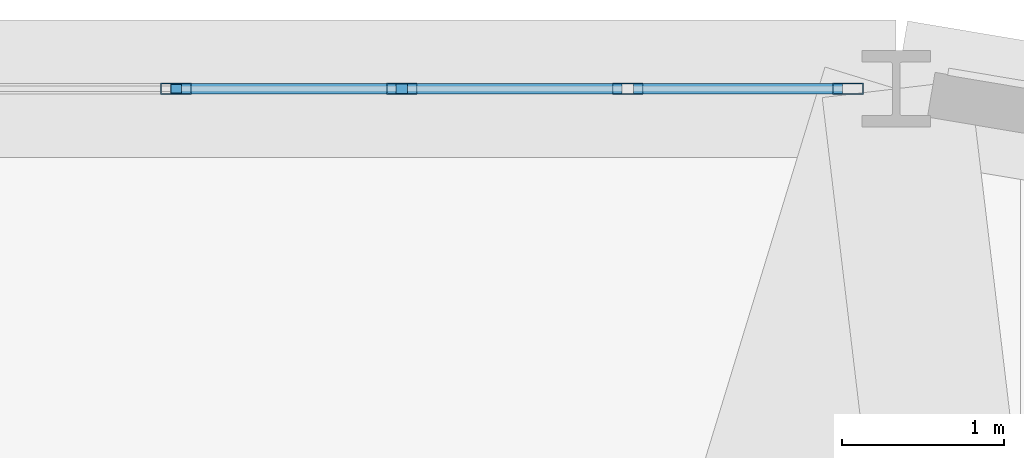
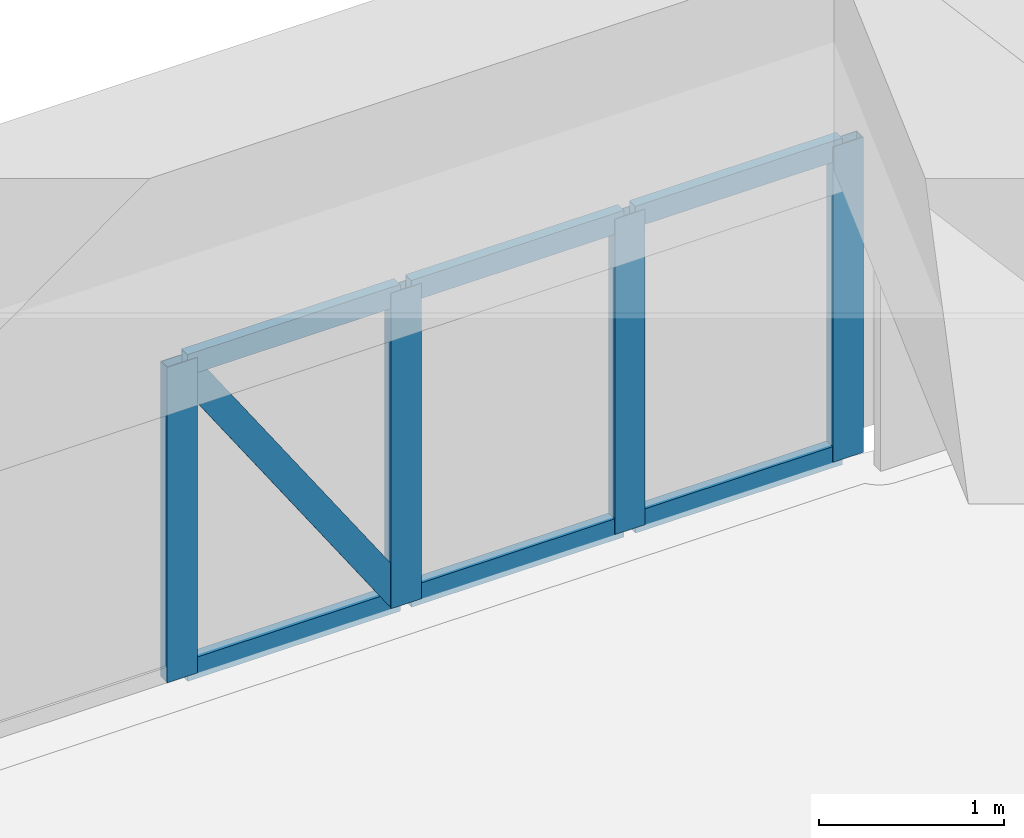
# One storey, part 13 of 20: 11 members, 1 element without a shape of its own.
"""IFC4 building model written with IfcOpenShell, lengths in metres."""

from ifc_helpers import new_model, si_unit, derived_unit, direction, frame, origin, origin_2d, place, context, subcontext, project, spatial, hollow_rectangle, extrude, source, transform, mapped, material, layer, layer_set, material_profile, profile_set, type_object, element, aggregate, save


model = new_model("IFC4")

# Units and contexts
model_context = context("Model", 3, precision=1e-05, world=origin(), true_north=direction((0.0, 1.0)))
body_context = subcontext(model_context, "Body", "Model", "MODEL_VIEW")
ifc_project = project(units=[si_unit("LENGTHUNIT", "METRE"), si_unit("AREAUNIT", "SQUARE_METRE"), si_unit("VOLUMEUNIT", "CUBIC_METRE"), si_unit("PLANEANGLEUNIT", "RADIAN"), si_unit("MASSUNIT", "GRAM", prefix="KILO"), derived_unit("THERMALTRANSMITTANCEUNIT", [(si_unit("POWERUNIT", "WATT"), 1), (si_unit("LENGTHUNIT", "METRE"), -2), (si_unit("THERMODYNAMICTEMPERATUREUNIT", "KELVIN"), -1)])], contexts=[model_context])

# Site, building, storey
site_placement = place(None, origin())
site = spatial("IfcSite", under=ifc_project, at=site_placement, CompositionType="ELEMENT")
building_placement = place(site_placement, origin())
building = spatial("IfcBuilding", under=site, at=building_placement, Name="Korsvarv Bourse and Concert Hall", CompositionType="ELEMENT")
storey_placement = place(building_placement, frame((0.0, 0.0, 43.5)))
storey = spatial("IfcBuildingStorey", under=building, at=storey_placement, Name="L10", CompositionType="ELEMENT", Elevation=43.5)

# Curtain wall, members
ifc_material_1 = material(Name="Anodised aluminium and triple low-E glazing", Category="glass")
ifc_layer = layer(ifc_material_1, 0.219970703125)
ifc_layer_set = layer_set([ifc_layer], Name="Anodised aluminium and triple low-E glazing")
curtain_wall_type = type_object("IfcCurtainWallType", Name="CW-SYS-1", PredefinedType="NOTDEFINED", material=ifc_layer_set)
curtain_wall_placement = place(storey_placement, origin())
curtain_wall = element("IfcCurtainWall", 1, at=curtain_wall_placement, inside=storey, type_object=curtain_wall_type, Name="L10 CW1 curtain wall CW-L10-F03", PredefinedType="NOTDEFINED")
ifc_material_2 = material(Name="Extruded aluminium EN AW-6063 T66", Category="aluminium")
ifc_material_profile_1 = material_profile(ifc_material_2, hollow_rectangle(XDim=0.070068359375, YDim=0.18994140625, WallThickness=0.0048828125, at=origin_2d()), Name="ALU-M 70x190")
ifc_profile_set_1 = profile_set([ifc_material_profile_1], Name="Extruded aluminium EN AW-6063 T66")
member_type_1 = type_object("IfcMemberType", Name="CWM-190", PredefinedType="MULLION", material=ifc_profile_set_1)
shared_shape_1 = source(origin(), body_context, "Body", "SweptSolid", [
    extrude(hollow_rectangle(XDim=0.070068359375, YDim=0.18994140625, WallThickness=0.0048828125, at=origin_2d()), origin(), (0.0, 0.0, 1.0), 2.080078125),
])
member_1_placement = place(storey_placement, frame((43.64404296875, 57.401611328125, 0.0), z_axis=(0.0, 0.0, 1.0), x_axis=(0.0, -1.0, 0.0)))
member_1 = element("IfcMember", 2, at=member_1_placement, type_object=member_type_1, Name="CW1 mullion 1", PredefinedType="MULLION", context=body_context, shape_type="MappedRepresentation", body=[
    mapped(shared_shape_1, transform((0.0, 0.0, 0.0), scale=1.0)),
])
member_2_placement = place(storey_placement, frame((42.282958984375, 57.401611328125, 0.0), z_axis=(0.0, 0.0, 1.0), x_axis=(0.0, -1.0, 0.0)))
member_2 = element("IfcMember", 3, at=member_2_placement, type_object=member_type_1, Name="CW1 mullion 2", PredefinedType="MULLION", context=body_context, shape_type="MappedRepresentation", body=[
    mapped(shared_shape_1, transform((0.0, 0.0, 0.0), scale=1.0)),
])
member_3_placement = place(storey_placement, frame((40.88671875, 57.401611328125, 0.0), z_axis=(0.0, 0.0, 1.0), x_axis=(0.0, -1.0, 0.0)))
member_3 = element("IfcMember", 4, at=member_3_placement, type_object=member_type_1, Name="CW1 mullion 3", PredefinedType="MULLION", context=body_context, shape_type="MappedRepresentation", body=[
    mapped(shared_shape_1, transform((0.0, 0.0, 0.0), scale=1.0)),
])
member_4_placement = place(storey_placement, frame((39.490478515625, 57.401611328125, 0.0), z_axis=(0.0, 0.0, 1.0), x_axis=(0.0, -1.0, 0.0)))
member_4 = element("IfcMember", 5, at=member_4_placement, type_object=member_type_1, Name="CW1 mullion 4", PredefinedType="MULLION", context=body_context, shape_type="MappedRepresentation", body=[
    mapped(shared_shape_1, transform((0.0, 0.0, 0.0), scale=1.0)),
])
ifc_material_profile_2 = material_profile(ifc_material_2, hollow_rectangle(XDim=0.06494140625, YDim=0.139892578125, WallThickness=0.00390625, at=origin_2d()), Name="ALU-T 65x140")
ifc_profile_set_2 = profile_set([ifc_material_profile_2], Name="Extruded aluminium EN AW-6063 T66")
member_type_2 = type_object("IfcMemberType", Name="CWT-140", PredefinedType="USERDEFINED", material=ifc_profile_set_2)
shared_shape_2 = source(origin(), body_context, "Body", "SweptSolid", [
    extrude(hollow_rectangle(XDim=0.06494140625, YDim=0.139892578125, WallThickness=0.00390625, at=origin_2d()), origin(), (0.0, 0.0, 1.0), 1.291259765625),
])
member_5_placement = place(storey_placement, frame((43.609130859375, 57.401611328125, 0.032470703125), z_axis=(-1.0, 0.0, 0.0), x_axis=(0.0, -1.0, 0.0)))
member_5 = element("IfcMember", 6, at=member_5_placement, type_object=member_type_2, Name="CW1 transom 1.1", ObjectType="TRANSOM", PredefinedType="USERDEFINED", context=body_context, shape_type="MappedRepresentation", body=[
    mapped(shared_shape_2, transform((0.0, 0.0, 0.0), scale=1.0)),
])
member_6_placement = place(storey_placement, frame((43.609130859375, 57.401611328125, 2.047607421875), z_axis=(-1.0, 0.0, 0.0), x_axis=(0.0, -1.0, 0.0)))
member_6 = element("IfcMember", 7, at=member_6_placement, type_object=member_type_2, Name="CW1 transom 1.2", ObjectType="TRANSOM", PredefinedType="USERDEFINED", context=body_context, shape_type="MappedRepresentation", body=[
    mapped(shared_shape_2, transform((0.0, 0.0, 0.0), scale=1.0)),
])
shared_shape_3 = source(origin(), body_context, "Body", "SweptSolid", [
    extrude(hollow_rectangle(XDim=0.06494140625, YDim=0.139892578125, WallThickness=0.00390625, at=origin_2d()), origin(), (0.0, 0.0, 1.0), 1.326171875),
])
member_7_placement = place(storey_placement, frame((42.247802734375, 57.401611328125, 0.032470703125), z_axis=(-1.0, 0.0, 0.0), x_axis=(0.0, -1.0, 0.0)))
member_7 = element("IfcMember", 8, at=member_7_placement, type_object=member_type_2, Name="CW1 transom 2.1", ObjectType="TRANSOM", PredefinedType="USERDEFINED", context=body_context, shape_type="MappedRepresentation", body=[
    mapped(shared_shape_3, transform((0.0, 0.0, 0.0), scale=1.0)),
])
member_8_placement = place(storey_placement, frame((42.247802734375, 57.401611328125, 2.047607421875), z_axis=(-1.0, 0.0, 0.0), x_axis=(0.0, -1.0, 0.0)))
member_8 = element("IfcMember", 9, at=member_8_placement, type_object=member_type_2, Name="CW1 transom 2.2", ObjectType="TRANSOM", PredefinedType="USERDEFINED", context=body_context, shape_type="MappedRepresentation", body=[
    mapped(shared_shape_3, transform((0.0, 0.0, 0.0), scale=1.0)),
])
shared_shape_4 = source(origin(), body_context, "Body", "SweptSolid", [
    extrude(hollow_rectangle(XDim=0.06494140625, YDim=0.139892578125, WallThickness=0.00390625, at=origin_2d()), origin(), (0.0, 0.0, 1.0), 1.326416015625),
])
member_9_placement = place(storey_placement, frame((40.851806640625, 57.401611328125, 0.032470703125), z_axis=(-1.0, 0.0, 0.0), x_axis=(0.0, -1.0, 0.0)))
member_9 = element("IfcMember", 10, at=member_9_placement, type_object=member_type_2, Name="CW1 transom 3.1", ObjectType="TRANSOM", PredefinedType="USERDEFINED", context=body_context, shape_type="MappedRepresentation", body=[
    mapped(shared_shape_4, transform((0.0, 0.0, 0.0), scale=1.0)),
])
member_10_placement = place(storey_placement, frame((40.851806640625, 57.401611328125, 2.047607421875), z_axis=(-1.0, 0.0, 0.0), x_axis=(0.0, -1.0, 0.0)))
member_10 = element("IfcMember", 11, at=member_10_placement, type_object=member_type_2, Name="CW1 transom 3.2", ObjectType="TRANSOM", PredefinedType="USERDEFINED", context=body_context, shape_type="MappedRepresentation", body=[
    mapped(shared_shape_4, transform((0.0, 0.0, 0.0), scale=1.0)),
])
ifc_material_profile_3 = material_profile(ifc_material_2, hollow_rectangle(XDim=0.06494140625, YDim=0.1650390625, WallThickness=0.0048828125, at=origin_2d()), Name="ALU-M 65x165")
ifc_profile_set_3 = profile_set([ifc_material_profile_3], Name="Extruded aluminium EN AW-6063 T66")
member_type_3 = type_object("IfcMemberType", Name="CWM-165", PredefinedType="MULLION", material=ifc_profile_set_3)
shared_shape_5 = source(origin(), body_context, "Body", "SweptSolid", [
    extrude(hollow_rectangle(XDim=0.06494140625, YDim=0.1650390625, WallThickness=0.0048828125, at=origin_2d()), origin(), (0.0, 0.0, 1.0), 2.3583984375),
])
member_11_placement = place(storey_placement, frame((40.851806640625, 57.401611328125, 0.06494140625), z_axis=(-0.562440267615, 0.0, 0.826837919647), x_axis=(0.0, -1.0, 0.0)))
member_11 = element("IfcMember", 12, at=member_11_placement, type_object=member_type_3, Name="CW1 diagonal mullion 3", PredefinedType="MULLION", context=body_context, shape_type="MappedRepresentation", body=[
    mapped(shared_shape_5, transform((0.0, 0.0, 0.0), scale=1.0)),
])
aggregate(curtain_wall, [member_1, member_2, member_3, member_4, member_5, member_6, member_7, member_8, member_9, member_10, member_11])

save(model, "model.ifc")
